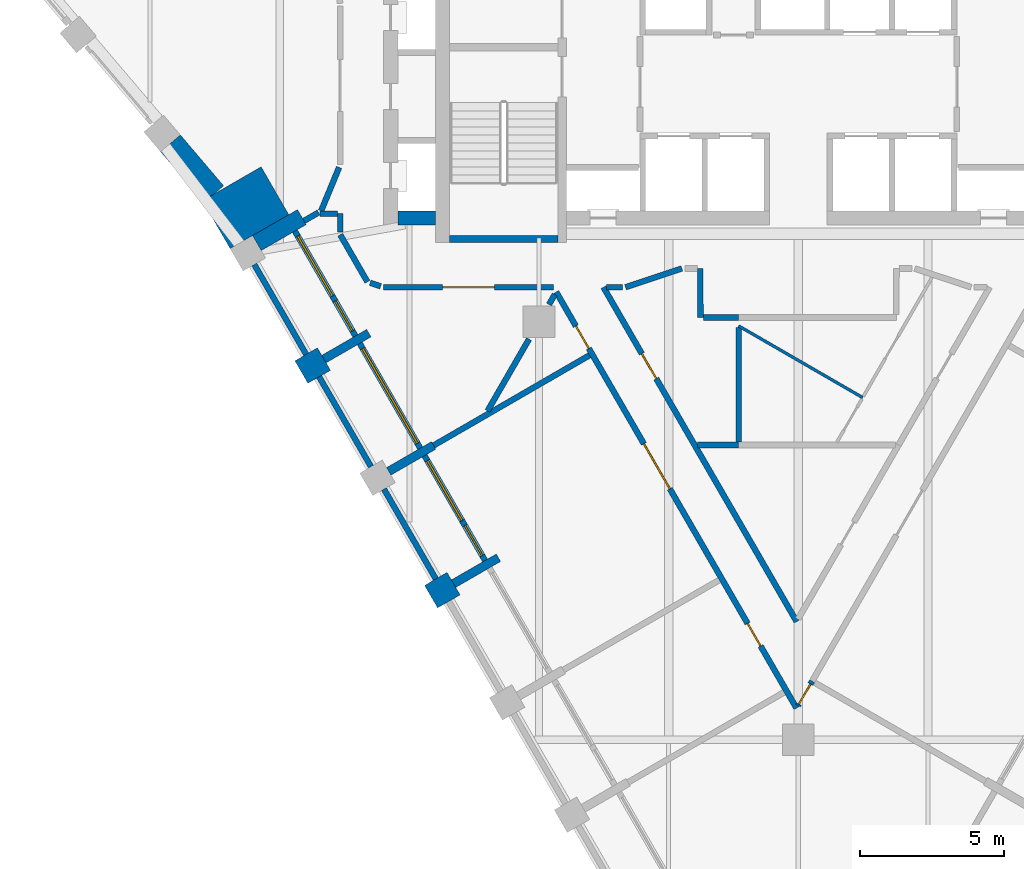
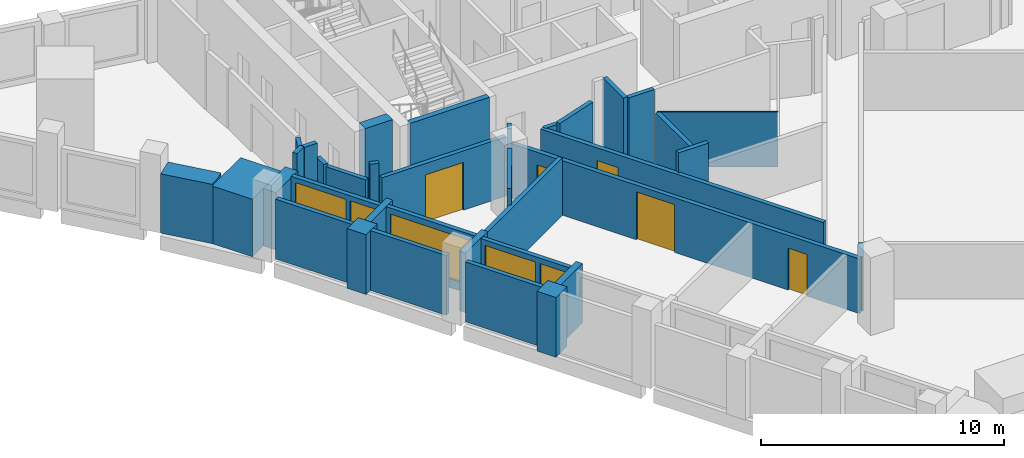
# One storey, part 3 of 9: 36 walls, 8 doors, 3 windows, 11 openings.
"""IFC4 building model written with IfcOpenShell, lengths in metres."""

from ifc_helpers import new_model, si_unit, direction, frame, frame_2d, origin, place, context, subcontext, project, spatial, polyline, rectangle, outline, extrude, material, layer, layer_set, type_object, element, fill, save


model = new_model("IFC4")

# Units and contexts
model_context = context("Model", 3, precision=1e-05, world=origin(), true_north=direction((0.0, 1.0)))
body_context = subcontext(model_context, "Body", "Model", "MODEL_VIEW")
ifc_project = project(units=[si_unit("LENGTHUNIT", "METRE"), si_unit("AREAUNIT", "SQUARE_METRE"), si_unit("VOLUMEUNIT", "CUBIC_METRE"), si_unit("PLANEANGLEUNIT", "RADIAN"), si_unit("MASSUNIT", "GRAM", prefix="KILO")], contexts=[model_context])

# Site, building, storey
site_placement = place(None, origin())
site = spatial("IfcSite", under=ifc_project, at=site_placement, CompositionType="ELEMENT")
building_placement = place(site_placement, origin())
building = spatial("IfcBuilding", under=site, at=building_placement, Name="Calabash Gate Tower", CompositionType="ELEMENT")
storey_placement = place(building_placement, frame((0.0, 0.0, 235.39990234375)))
storey = spatial("IfcBuildingStorey", under=building, at=storey_placement, Name="L56", CompositionType="ELEMENT", Elevation=235.39990234375)

# Walls
ifc_material_1 = material(Name="Terracotta brick masonry, exposed face", Category="masonry")
ifc_layer_1 = layer(ifc_material_1, 2.35009765625)
ifc_layer_set_1 = layer_set([ifc_layer_1], Name="Brick corner mass wall 2350")
wall_type_1 = type_object("IfcWallType", Name="Brick corner mass wall 2350", PredefinedType="SOLIDWALL", material=ifc_layer_set_1)
wall_1_placement = place(storey_placement, origin())
element("IfcWall", 1, at=wall_1_placement, inside=storey, type_object=wall_type_1, Name="Brick corner pier S16 1", PredefinedType="SOLIDWALL", context=body_context, shape_type="SweptSolid", body=[
    extrude(outline(polyline([(-18.942138671875, 5.492431640625), (-17.6865234375, 6.21728515625), (-18.6455078125, 7.878173828125), (-20.6806640625, 6.703125), (-19.7216796875, 5.042236328125), (-19.721435546875, 5.042236328125), (-19.7216796875, 5.042724609375), (-18.9423828125, 5.49267578125), (-18.942138671875, 5.492431640625)])), origin(), (0.0, 0.0, 1.0), 2.88427734375),
])
ifc_material_2 = material(Name="Terracotta brick masonry, exposed face", Category="masonry")
ifc_layer_2 = layer(ifc_material_2, 0.89990234375)
ifc_layer_set_2 = layer_set([ifc_layer_2], Name="Brick end wall 900")
wall_type_2 = type_object("IfcWallType", Name="Brick end wall 900", PredefinedType="SOLIDWALL", material=ifc_layer_set_2)
wall_2_placement = place(storey_placement, frame((-16.632080078125, 0.5908203125, 0.0), z_axis=(0.0, 0.0, 1.0), x_axis=(-0.50001992892, 0.866013897511, 0.0)))
element("IfcWall", 2, at=wall_2_placement, inside=storey, type_object=wall_type_2, Name="Brick pier S16 SW0.1", PredefinedType="SOLIDWALL", context=body_context, shape_type="SweptSolid", body=[
    extrude(rectangle(XDim=0.89990234375, YDim=0.89990234375, at=frame_2d((0.449951171875, 0.0))), origin(), (0.0, 0.0, 1.0), 3.0),
])
wall_3_placement = place(storey_placement, frame((-12.58203125, -6.424072265625, 0.0), z_axis=(0.0, 0.0, 1.0), x_axis=(0.499902469156, -0.866081705922, 0.0)))
element("IfcWall", 3, at=wall_3_placement, inside=storey, type_object=wall_type_2, Name="Brick pier S16 SW0.3", PredefinedType="SOLIDWALL", context=body_context, shape_type="SweptSolid", body=[
    extrude(rectangle(XDim=0.900146484375, YDim=0.89990234375, at=frame_2d((0.4501953125, 0.0))), origin(), (0.0, 0.0, 1.0), 3.0),
])
wall_4_placement = place(storey_placement, origin())
element("IfcWall", 4, at=wall_4_placement, inside=storey, type_object=wall_type_2, Name="Brick end wall S16 3", PredefinedType="SOLIDWALL", context=body_context, shape_type="SweptSolid", body=[
    extrude(outline(polyline([(-19.947998046875, 7.2197265625), (-21.44921875, 8.985595703125), (-22.135009765625, 8.402587890625), (-20.66015625, 6.667724609375), (-20.6806640625, 6.703125), (-20.291015625, 6.92822265625), (-19.947998046875, 7.2197265625)])), origin(), (0.0, 0.0, 1.0), 2.9736328125),
])
ifc_material_3 = material(Name="Terracotta brick masonry, exposed face", Category="masonry")
ifc_layer_3 = layer(ifc_material_3, 0.300048828125)
ifc_layer_set_3 = layer_set([ifc_layer_3], Name="Brick loggia cheek wall 300")
wall_type_3 = type_object("IfcWallType", Name="Brick loggia cheek wall 300", PredefinedType="SOLIDWALL", material=ifc_layer_set_3)
wall_5_placement = place(storey_placement, frame((-18.7919921875, 5.232666015625, 0.0), z_axis=(0.0, 0.0, 1.0), x_axis=(0.866013897511, 0.50001992892, 0.0)))
element("IfcWall", 5, at=wall_5_placement, inside=storey, type_object=wall_type_3, Name="Loggia cheek S16 SW0.0", PredefinedType="SOLIDWALL", context=body_context, shape_type="SweptSolid", body=[
    extrude(rectangle(XDim=1.7998046875, YDim=0.60009765625, at=frame_2d((0.89990234375, 0.0))), origin(), (0.0, 0.0, 1.0), 2.88427734375),
])
for number, where, z_axis, x_axis, name in (
    (6, (-16.46728515625, 1.205322265625, 0.0), (0.0, 0.0, 1.0), (0.865989075817, 0.500062916607, 0.0), "Loggia cheek S16 SW0.1"),
    (7, (-14.21728515625, -2.691650390625, 0.0), (0.0, 0.0, 1.0), (0.866047807691, 0.499961193289, 0.0), "Loggia cheek S16 SW0.2"),
):
    element("IfcWall", number, at=place(storey_placement, frame(where, z_axis=z_axis, x_axis=x_axis)), inside=storey, type_object=wall_type_3, Name=name, PredefinedType="SOLIDWALL", context=body_context, shape_type="SweptSolid", body=[
        extrude(rectangle(XDim=1.800048828125, YDim=0.300048828125, at=frame_2d((0.89990234375, 0.0))), origin(), (0.0, 0.0, 1.0), 3.0),
    ])
wall_6_placement = place(storey_placement, frame((-11.96728515625, -6.5888671875, 0.0), z_axis=(0.0, 0.0, 1.0), x_axis=(0.865989075817, 0.500062916607, 0.0)))
element("IfcWall", 8, at=wall_6_placement, inside=storey, type_object=wall_type_3, Name="Loggia cheek S16 SW0.3", PredefinedType="SOLIDWALL", context=body_context, shape_type="SweptSolid", body=[
    extrude(rectangle(XDim=1.800048828125, YDim=0.300048828125, at=frame_2d((0.89990234375, 0.0))), origin(), (0.0, 0.0, 1.0), 2.9736328125),
])
ifc_material_4 = material(Name="Concrete C70/85", Category="concrete")
ifc_layer_4 = layer(ifc_material_4, 0.25)
ifc_layer_set_4 = layer_set([ifc_layer_4], Name="Core wall 250 Concrete C70/85")
wall_type_4 = type_object("IfcWallType", Name="Core wall 250 Concrete C70/85", PredefinedType="SHEAR", material=ifc_layer_set_4)
wall_7_placement = place(storey_placement, frame((-12.10009765625, 5.377685546875, 0.0), z_axis=(0.0, 0.0, 1.0), x_axis=(1.0, 0.0, 0.0)))
element("IfcWall", 9, at=wall_7_placement, inside=storey, type_object=wall_type_4, Name="Core wall Z4-SSW L56", PredefinedType="SHEAR", context=body_context, shape_type="SweptSolid", body=[
    extrude(rectangle(XDim=3.75, YDim=0.25, at=frame_2d((1.875, 0.0))), origin(), (0.0, 0.0, 1.0), 3.900146484375),
])
ifc_material_5 = material(Name="Concrete C70/85", Category="concrete")
ifc_layer_5 = layer(ifc_material_5, 0.5)
ifc_layer_set_5 = layer_set([ifc_layer_5], Name="Core wall 500 Concrete C70/85")
wall_type_5 = type_object("IfcWallType", Name="Core wall 500 Concrete C70/85", PredefinedType="SHEAR", material=ifc_layer_set_5)
wall_8_placement = place(storey_placement, frame((-12.60009765625, 6.1025390625, 0.0), z_axis=(0.0, 0.0, 1.0), x_axis=(-1.0, 0.0, 0.0)))
element("IfcWall", 10, at=wall_8_placement, inside=storey, type_object=wall_type_5, Name="Core wall Z4-SW L56", PredefinedType="SHEAR", context=body_context, shape_type="SweptSolid", body=[
    extrude(rectangle(XDim=1.2998046875, YDim=0.5, at=frame_2d((0.64990234375, 0.0))), origin(), (0.0, 0.0, 1.0), 3.900146484375),
])
ifc_material_6 = material(Name="Gypsum board on steel studs, mineral wool", Category="steel")
ifc_layer_6 = layer(ifc_material_6, 0.10009765625)
ifc_layer_set_6 = layer_set([ifc_layer_6], Name="Partition 100 gypsum board")
wall_type_6 = type_object("IfcWallType", Name="Partition 100 gypsum board", PredefinedType="PARTITIONING", material=ifc_layer_set_6)
wall_9_placement = place(storey_placement, frame((-2.072998046875, 2.357421875, 0.0), z_axis=(0.0, 0.0, 1.0), x_axis=(0.865852787501, -0.500298861059, 0.0)))
element("IfcWall", 11, at=wall_9_placement, inside=storey, type_object=wall_type_6, Name="Partition", PredefinedType="PARTITIONING", context=body_context, shape_type="SweptSolid", body=[
    extrude(rectangle(XDim=4.9736328125, YDim=0.10009765625, at=frame_2d((2.48681640625, 0.0))), origin(), (0.0, 0.0, 1.0), 2.74169921875),
])

# Wall, openings, doors
ifc_material_7 = material(Name="Gypsum board on steel studs, mineral wool", Category="steel")
ifc_layer_7 = layer(ifc_material_7, 0.199951171875)
ifc_layer_set_7 = layer_set([ifc_layer_7], Name="Partition 200 gypsum board EI 60")
wall_type_7 = type_object("IfcWallType", Name="Partition 200 gypsum board EI 60", PredefinedType="PARTITIONING", material=ifc_layer_set_7)
wall_10_placement = place(storey_placement, frame((-8.403076171875, 3.533935546875, 0.0), z_axis=(0.0, 0.0, 1.0), x_axis=(0.499994899308, -0.86602834865, 0.0)))
wall_10 = element("IfcWall", 12, at=wall_10_placement, inside=storey, type_object=wall_type_7, Name="Partition", PredefinedType="PARTITIONING", context=body_context, shape_type="SweptSolid", body=[
    extrude(rectangle(XDim=16.677490234375, YDim=0.199951171875, at=frame_2d((8.3388671875, 0.0))), origin(), (0.0, 0.0, 1.0), 2.74169921875),
])
opening_1_placement = place(wall_10_placement, frame((6.08447265625, 0.0, 0.0)))
opening_1 = element("IfcOpeningElement", 13, at=opening_1_placement, cuts=wall_10, Name="Opening 55-57-001", PredefinedType="OPENING", context=body_context, shape_type="SweptSolid", body=[
    extrude(rectangle(XDim=1.800048828125, YDim=2.39990234375, at=frame_2d((0.89990234375, 1.199951171875))), frame((0.0, 0.10986328125, 0.0), z_axis=(0.0, -1.0, 0.0), x_axis=(1.0, 0.0, 0.0)), (0.0, 0.0, 1.0), 0.219970703125),
])
opening_2_placement = place(wall_10_placement, frame((13.28466796875, 0.0, 0.0)))
opening_2 = element("IfcOpeningElement", 14, at=opening_2_placement, cuts=wall_10, Name="Opening 55-57-002", PredefinedType="OPENING", context=body_context, shape_type="SweptSolid", body=[
    extrude(rectangle(XDim=0.89990234375, YDim=2.10009765625, at=frame_2d((0.449951171875, 1.050048828125))), frame((0.0, 0.10986328125, 0.0), z_axis=(0.0, -1.0, 0.0), x_axis=(1.0, 0.0, 0.0)), (0.0, 0.0, 1.0), 0.219970703125),
])
opening_3_placement = place(wall_10_placement, frame((1.364013671875, 0.0, 0.0)))
opening_3 = element("IfcOpeningElement", 15, at=opening_3_placement, cuts=wall_10, Name="Opening 55-57-007", PredefinedType="OPENING", context=body_context, shape_type="SweptSolid", body=[
    extrude(rectangle(XDim=0.89990234375, YDim=2.10009765625, at=frame_2d((0.449951171875, 1.050048828125))), frame((0.0, 0.10986328125, 0.0), z_axis=(0.0, -1.0, 0.0), x_axis=(1.0, 0.0, 0.0)), (0.0, 0.0, 1.0), 0.219970703125),
])
ifc_material_8 = material(Name="Painted timber door", Category="wood")
door_type_1 = type_object("IfcDoorType", Name="OD1 Office door 900x2100", OperationType="NOTDEFINED", PredefinedType="DOOR", material=ifc_material_8)
door_1_placement = place(opening_2_placement, origin())
door_1 = element("IfcDoor", 16, at=door_1_placement, inside=storey, type_object=door_type_1, Name="Office door", OperationType="SINGLE_SWING_LEFT", OverallHeight=2.10009765625, OverallWidth=0.89990234375, PredefinedType="DOOR", context=body_context, shape_type="SweptSolid", body=[
    extrude(rectangle(XDim=0.89990234375, YDim=2.10009765625, at=frame_2d((0.449951171875, 1.050048828125))), frame((0.0, 0.02490234375, 0.0), z_axis=(0.0, -1.0, 0.0), x_axis=(1.0, 0.0, 0.0)), (0.0, 0.0, 1.0), 0.050048828125),
])
fill(opening_2, door_1)
ifc_material_9 = material(Name="Steel fire door set with fire-resisting glazing", Category="steel")
door_type_2 = type_object("IfcDoorType", Name="SD1 Service room door 900x2100", OperationType="NOTDEFINED", PredefinedType="DOOR", material=ifc_material_9)
door_2_placement = place(opening_3_placement, origin())
door_2 = element("IfcDoor", 17, at=door_2_placement, inside=storey, type_object=door_type_2, Name="Service room door", OperationType="SINGLE_SWING_RIGHT", OverallHeight=2.10009765625, OverallWidth=0.89990234375, PredefinedType="DOOR", context=body_context, shape_type="SweptSolid", body=[
    extrude(rectangle(XDim=0.89990234375, YDim=2.10009765625, at=frame_2d((0.449951171875, 1.050048828125))), frame((0.0, 0.02490234375, 0.0), z_axis=(0.0, -1.0, 0.0), x_axis=(1.0, 0.0, 0.0)), (0.0, 0.0, 1.0), 0.050048828125),
])
fill(opening_3, door_2)
ifc_material_10 = material(Name="Steel fire door set with fire-resisting glazing", Category="steel")
door_type_3 = type_object("IfcDoorType", Name="TD1 Tenancy entrance double door 1800x2400", OperationType="NOTDEFINED", PredefinedType="DOOR", material=ifc_material_10)
door_3_placement = place(opening_1_placement, origin())
door_3 = element("IfcDoor", 18, at=door_3_placement, inside=storey, type_object=door_type_3, Name="Tenancy entrance double door", OperationType="DOUBLE_DOOR_SINGLE_SWING", OverallHeight=2.39990234375, OverallWidth=1.800048828125, PredefinedType="DOOR", context=body_context, shape_type="SweptSolid", body=[
    extrude(rectangle(XDim=1.800048828125, YDim=2.39990234375, at=frame_2d((0.89990234375, 1.199951171875))), frame((0.0, 0.02490234375, 0.0), z_axis=(0.0, -1.0, 0.0), x_axis=(1.0, 0.0, 0.0)), (0.0, 0.0, 1.0), 0.050048828125),
])
fill(opening_1, door_3)

# Wall, opening, door
wall_11_placement = place(storey_placement, frame((-0.01220703125, -10.821533203125, 0.0), z_axis=(0.0, 0.0, 1.0), x_axis=(0.501271486133, 0.865290065348, 0.0)))
wall_11 = element("IfcWall", 19, at=wall_11_placement, inside=storey, type_object=wall_type_7, Name="Partition", PredefinedType="PARTITIONING", context=body_context, shape_type="SweptSolid", body=[
    extrude(rectangle(XDim=0.98193359375, YDim=0.199951171875, at=frame_2d((0.490966796875, 0.0))), origin(), (0.0, 0.0, 1.0), 2.74169921875),
])
opening_4_placement = place(wall_11_placement, frame((0.06201171875, 0.0, 0.0)))
opening_4 = element("IfcOpeningElement", 20, at=opening_4_placement, cuts=wall_11, Name="Opening 55-57-011", PredefinedType="OPENING", context=body_context, shape_type="SweptSolid", body=[
    extrude(rectangle(XDim=0.800048828125, YDim=2.10009765625, at=frame_2d((0.39990234375, 1.050048828125))), frame((0.0, 0.10986328125, 0.0), z_axis=(0.0, -1.0, 0.0), x_axis=(1.0, 0.0, 0.0)), (0.0, 0.0, 1.0), 0.219970703125),
])
ifc_material_11 = material(Name="Steel fire door set with fire-resisting glazing", Category="steel")
door_type_4 = type_object("IfcDoorType", Name="SD2 Riser access door 800x2100", OperationType="NOTDEFINED", PredefinedType="DOOR", material=ifc_material_11)
door_4_placement = place(opening_4_placement, origin())
door_4 = element("IfcDoor", 21, at=door_4_placement, inside=storey, type_object=door_type_4, Name="Riser access door", OperationType="SINGLE_SWING_RIGHT", OverallHeight=2.10009765625, OverallWidth=0.800048828125, PredefinedType="DOOR", context=body_context, shape_type="SweptSolid", body=[
    extrude(rectangle(XDim=0.800048828125, YDim=2.10009765625, at=frame_2d((0.39990234375, 1.050048828125))), frame((0.0, 0.02490234375, 0.0), z_axis=(0.0, -1.0, 0.0), x_axis=(1.0, 0.0, 0.0)), (0.0, 0.0, 1.0), 0.050048828125),
])
fill(opening_4, door_4)

# Walls
wall_12_placement = place(storey_placement, frame((-12.65869140625, -1.791259765625, 0.0), z_axis=(0.0, 0.0, 1.0), x_axis=(0.865661558062, 0.500629670408, 0.0)))
element("IfcWall", 22, at=wall_12_placement, inside=storey, type_object=wall_type_7, Name="Partition", PredefinedType="PARTITIONING", context=body_context, shape_type="SweptSolid", body=[
    extrude(rectangle(XDim=6.24951171875, YDim=0.199951171875, at=frame_2d((3.124755859375, 0.0))), origin(), (0.0, 0.0, 1.0), 2.88427734375),
])
wall_13_placement = place(storey_placement, frame((-3.49853515625, -1.779541015625, 0.0), z_axis=(0.0, 0.0, 1.0), x_axis=(0.999999471866, 0.001027748686, 0.0)))
element("IfcWall", 23, at=wall_13_placement, inside=storey, type_object=wall_type_7, Name="Partition", PredefinedType="PARTITIONING", context=body_context, shape_type="SweptSolid", body=[
    extrude(rectangle(XDim=1.42529296875, YDim=0.199951171875, at=frame_2d((0.712646484375, 0.0))), origin(), (0.0, 0.0, 1.0), 3.72998046875),
])
wall_14_placement = place(storey_placement, frame((-10.787353515625, -0.593505859375, 0.0), z_axis=(0.0, 0.0, 1.0), x_axis=(0.500287485194, 0.865859360496, 0.0)))
element("IfcWall", 24, at=wall_14_placement, inside=storey, type_object=wall_type_7, Name="Partition", PredefinedType="PARTITIONING", context=body_context, shape_type="SweptSolid", body=[
    extrude(rectangle(XDim=2.879638671875, YDim=0.199951171875, at=frame_2d((1.43994140625, 0.0))), origin(), (0.0, 0.0, 1.0), 3.72998046875),
])
wall_15_placement = place(storey_placement, frame((-2.0712890625, -1.676025390625, 0.0), z_axis=(0.0, 0.0, 1.0), x_axis=(0.0, 1.0, 0.0)))
element("IfcWall", 25, at=wall_15_placement, inside=storey, type_object=wall_type_7, Name="Partition", PredefinedType="PARTITIONING", context=body_context, shape_type="SweptSolid", body=[
    extrude(rectangle(XDim=3.974609375, YDim=0.199951171875, at=frame_2d((1.9873046875, 0.0))), origin(), (0.0, 0.0, 1.0), 2.74169921875),
])
wall_16_placement = place(storey_placement, frame((-3.402099609375, 4.3505859375, 0.0), z_axis=(0.0, 0.0, 1.0), x_axis=(0.001150085496, -0.999999338651, 0.0)))
element("IfcWall", 26, at=wall_16_placement, inside=storey, type_object=wall_type_7, Name="Partition", PredefinedType="PARTITIONING", context=body_context, shape_type="SweptSolid", body=[
    extrude(rectangle(XDim=1.6982421875, YDim=0.199951171875, at=frame_2d((0.84912109375, 0.0))), origin(), (0.0, 0.0, 1.0), 3.72998046875),
])
wall_17_placement = place(storey_placement, frame((-3.30029296875, 2.65234375, 0.0), z_axis=(0.0, 0.0, 1.0), x_axis=(0.999999030114, -0.001392756309, 0.0)))
element("IfcWall", 27, at=wall_17_placement, inside=storey, type_object=wall_type_7, Name="Partition", PredefinedType="PARTITIONING", context=body_context, shape_type="SweptSolid", body=[
    extrude(rectangle(XDim=1.22705078125, YDim=0.199951171875, at=frame_2d((0.613525390625, 0.0))), origin(), (0.0, 0.0, 1.0), 3.72998046875),
])
wall_18_placement = place(storey_placement, frame((-8.65380859375, 3.10009765625, 0.0), z_axis=(0.0, 0.0, 1.0), x_axis=(0.497766425922, 0.86731112366, 0.0)))
element("IfcWall", 28, at=wall_18_placement, inside=storey, type_object=wall_type_7, Name="Partition", PredefinedType="PARTITIONING", context=body_context, shape_type="SweptSolid", body=[
    extrude(rectangle(XDim=0.403564453125, YDim=0.199951171875, at=frame_2d((0.20166015625, 0.0))), origin(), (0.0, 0.0, 1.0), 3.72998046875),
])

# Wall, opening, door
wall_19_placement = place(storey_placement, frame((-14.400146484375, 3.699462890625, 0.0), z_axis=(0.0, 0.0, 1.0), x_axis=(1.0, 0.0, 0.0)))
wall_19 = element("IfcWall", 29, at=wall_19_placement, inside=storey, type_object=wall_type_7, Name="Partition", PredefinedType="PARTITIONING", context=body_context, shape_type="SweptSolid", body=[
    extrude(rectangle(XDim=5.903076171875, YDim=0.199951171875, at=frame_2d((2.95166015625, 0.0))), origin(), (0.0, 0.0, 1.0), 2.9736328125),
])
opening_5_placement = place(wall_19_placement, frame((2.0517578125, 0.0, 0.0)))
opening_5 = element("IfcOpeningElement", 30, at=opening_5_placement, cuts=wall_19, Name="Opening 55-57-008", PredefinedType="OPENING", context=body_context, shape_type="SweptSolid", body=[
    extrude(rectangle(XDim=1.800048828125, YDim=2.39990234375, at=frame_2d((0.89990234375, 1.199951171875))), frame((0.0, 0.10986328125, 0.0), z_axis=(0.0, -1.0, 0.0), x_axis=(1.0, 0.0, 0.0)), (0.0, 0.0, 1.0), 0.219970703125),
])
ifc_material_12 = material(Name="Steel fire door set with fire-resisting glazing", Category="steel")
door_type_5 = type_object("IfcDoorType", Name="OD5 Open office double door 1800x2400", OperationType="NOTDEFINED", PredefinedType="DOOR", material=ifc_material_12)
door_5_placement = place(opening_5_placement, origin())
door_5 = element("IfcDoor", 31, at=door_5_placement, inside=storey, type_object=door_type_5, Name="Open office double door", OperationType="DOUBLE_DOOR_SINGLE_SWING", OverallHeight=2.39990234375, OverallWidth=1.800048828125, PredefinedType="DOOR", context=body_context, shape_type="SweptSolid", body=[
    extrude(rectangle(XDim=1.800048828125, YDim=2.39990234375, at=frame_2d((0.89990234375, 1.199951171875))), frame((0.0, 0.02490234375, 0.0), z_axis=(0.0, -1.0, 0.0), x_axis=(1.0, 0.0, 0.0)), (0.0, 0.0, 1.0), 0.050048828125),
])
fill(opening_5, door_5)

wall_20_placement = place(storey_placement, frame((-6.764404296875, 3.69970703125, 0.0), z_axis=(0.0, 0.0, 1.0), x_axis=(0.500260603275, -0.865874892124, 0.0)))
wall_20 = element("IfcWall", 32, at=wall_20_placement, inside=storey, type_object=wall_type_7, Name="Partition", PredefinedType="PARTITIONING", context=body_context, shape_type="SweptSolid", body=[
    extrude(rectangle(XDim=13.403076171875, YDim=0.199951171875, at=frame_2d((6.70166015625, 0.0))), origin(), (0.0, 0.0, 1.0), 2.74169921875),
])
opening_6_placement = place(wall_20_placement, frame((2.66259765625, 0.0, 0.0)))
opening_6 = element("IfcOpeningElement", 33, at=opening_6_placement, cuts=wall_20, Name="Opening 55-57-004", PredefinedType="OPENING", context=body_context, shape_type="SweptSolid", body=[
    extrude(rectangle(XDim=1.0, YDim=2.10009765625, at=frame_2d((0.5, 1.050048828125))), frame((0.0, 0.10986328125, 0.0), z_axis=(0.0, -1.0, 0.0), x_axis=(1.0, 0.0, 0.0)), (0.0, 0.0, 1.0), 0.219970703125),
])
ifc_material_13 = material(Name="Steel fire door set with fire-resisting glazing", Category="steel")
door_type_6 = type_object("IfcDoorType", Name="VD1 Vault door 1000x2100", OperationType="NOTDEFINED", PredefinedType="DOOR", material=ifc_material_13)
door_6_placement = place(opening_6_placement, origin())
door_6 = element("IfcDoor", 34, at=door_6_placement, inside=storey, type_object=door_type_6, Name="Vault door", OperationType="SINGLE_SWING_LEFT", OverallHeight=2.10009765625, OverallWidth=1.0, PredefinedType="DOOR", context=body_context, shape_type="SweptSolid", body=[
    extrude(rectangle(XDim=1.0, YDim=2.10009765625, at=frame_2d((0.5, 1.050048828125))), frame((0.0, 0.02490234375, 0.0), z_axis=(0.0, -1.0, 0.0), x_axis=(1.0, 0.0, 0.0)), (0.0, 0.0, 1.0), 0.050048828125),
])
fill(opening_6, door_6)

# Walls
wall_21_placement = place(storey_placement, frame((-6.664306640625, 3.69970703125, 0.0), z_axis=(0.0, 0.0, 1.0), x_axis=(1.0, 0.0, 0.0)))
element("IfcWall", 35, at=wall_21_placement, inside=storey, type_object=wall_type_7, Name="Partition", PredefinedType="PARTITIONING", context=body_context, shape_type="SweptSolid", body=[
    extrude(rectangle(XDim=0.564208984375, YDim=0.199951171875, at=frame_2d((0.2822265625, 0.0))), origin(), (0.0, 0.0, 1.0), 2.74169921875),
])
wall_22_placement = place(storey_placement, frame((-14.85986328125, 3.852783203125, 0.0), z_axis=(0.0, 0.0, 1.0), x_axis=(0.948683298051, -0.316227766017, 0.0)))
element("IfcWall", 36, at=wall_22_placement, inside=storey, type_object=wall_type_7, Name="Partition", PredefinedType="PARTITIONING", context=body_context, shape_type="SweptSolid", body=[
    extrude(rectangle(XDim=0.384521484375, YDim=0.199951171875, at=frame_2d((0.1923828125, 0.0))), origin(), (0.0, 0.0, 1.0), 3.72998046875),
])
wall_23_placement = place(storey_placement, frame((-15.900390625, 5.522705078125, 0.0), z_axis=(0.0, 0.0, 1.0), x_axis=(0.499998034377, -0.866026538634, 0.0)))
element("IfcWall", 37, at=wall_23_placement, inside=storey, type_object=wall_type_7, Name="Partition", PredefinedType="PARTITIONING", context=body_context, shape_type="SweptSolid", body=[
    extrude(rectangle(XDim=1.8916015625, YDim=0.199951171875, at=frame_2d((0.94580078125, 0.0))), origin(), (0.0, 0.0, 1.0), 2.9501953125),
])
wall_24_placement = place(storey_placement, frame((-6.0, 3.69970703125, 0.0), z_axis=(0.0, 0.0, 1.0), x_axis=(0.948683298051, 0.316227766017, 0.0)))
element("IfcWall", 38, at=wall_24_placement, inside=storey, type_object=wall_type_7, Name="Partition", PredefinedType="PARTITIONING", context=body_context, shape_type="SweptSolid", body=[
    extrude(rectangle(XDim=2.063720703125, YDim=0.199951171875, at=frame_2d((1.03173828125, 0.0))), origin(), (0.0, 0.0, 1.0), 2.74169921875),
])
wall_25_placement = place(storey_placement, frame((-15.900390625, 6.252197265625, 0.0), z_axis=(0.0, 0.0, 1.0), x_axis=(0.0, -1.0, 0.0)))
element("IfcWall", 39, at=wall_25_placement, inside=storey, type_object=wall_type_7, Name="Partition", PredefinedType="PARTITIONING", context=body_context, shape_type="SweptSolid", body=[
    extrude(rectangle(XDim=0.62939453125, YDim=0.199951171875, at=frame_2d((0.314697265625, 0.0))), origin(), (0.0, 0.0, 1.0), 2.9736328125),
])
wall_26_placement = place(storey_placement, frame((-16.6005859375, 6.252685546875, 0.0), z_axis=(0.0, 0.0, 1.0), x_axis=(0.999999668971, -0.000813669381, 0.0)))
element("IfcWall", 40, at=wall_26_placement, inside=storey, type_object=wall_type_7, Name="Partition", PredefinedType="PARTITIONING", context=body_context, shape_type="SweptSolid", body=[
    extrude(rectangle(XDim=0.60009765625, YDim=0.199951171875, at=frame_2d((0.300048828125, 0.0))), origin(), (0.0, 0.0, 1.0), 3.72998046875),
])
wall_27_placement = place(storey_placement, frame((-17.158203125, 6.00244140625, 0.0), z_axis=(0.0, 0.0, 1.0), x_axis=(0.867396234464, 0.497618098985, 0.0)))
element("IfcWall", 41, at=wall_27_placement, inside=storey, type_object=wall_type_7, Name="Partition", PredefinedType="PARTITIONING", context=body_context, shape_type="SweptSolid", body=[
    extrude(rectangle(XDim=0.586181640625, YDim=0.199951171875, at=frame_2d((0.29296875, 0.0))), origin(), (0.0, 0.0, 1.0), 3.72998046875),
])
wall_28_placement = place(storey_placement, frame((-16.563720703125, 6.345947265625, 0.0), z_axis=(0.0, 0.0, 1.0), x_axis=(0.381544254575, 0.924350572998, 0.0)))
element("IfcWall", 42, at=wall_28_placement, inside=storey, type_object=wall_type_7, Name="Partition", PredefinedType="PARTITIONING", context=body_context, shape_type="SweptSolid", body=[
    extrude(rectangle(XDim=1.63818359375, YDim=0.199951171875, at=frame_2d((0.819091796875, 0.0))), origin(), (0.0, 0.0, 1.0), 2.9736328125),
])
ifc_material_14 = material(Name="Terracotta brick masonry, perforated", Category="masonry")
ifc_layer_8 = layer(ifc_material_14, 0.199951171875)
ifc_layer_set_8 = layer_set([ifc_layer_8], Name="Terracotta jaali screen B")
wall_type_8 = type_object("IfcWallType", Name="Terracotta jaali screen B", PredefinedType="SOLIDWALL", material=ifc_layer_set_8)
for number, where, z_axis, x_axis, name in (
    (43, (-18.882080078125, 4.48779296875, 0.0), (0.0, 0.0, 1.0), (0.500012057535, -0.866018442252, 0.0), "SCREEN B S16 SW0.1"),
    (44, (-16.632080078125, 0.5908203125, 0.0), (0.0, 0.0, 1.0), (0.500012057535, -0.866018442252, 0.0), "SCREEN B S16 SW0.2"),
    (45, (-14.382080078125, -3.306396484375, 0.0), (0.0, 0.0, 1.0), (0.500012057535, -0.866018442252, 0.0), "SCREEN B S16 SW0.3"),
):
    element("IfcWall", number, at=place(storey_placement, frame(where, z_axis=z_axis, x_axis=x_axis)), inside=storey, type_object=wall_type_8, Name=name, PredefinedType="SOLIDWALL", context=body_context, shape_type="SweptSolid", body=[
        extrude(rectangle(XDim=3.60009765625, YDim=0.199951171875, at=frame_2d((1.800048828125, 0.0))), origin(), (0.0, 0.0, 1.0), 3.0),
    ])

# Wall, openings, door, window
ifc_material_15 = material(Name="Aluminium framed window wall with insulated spandrel", Category="aluminium")
ifc_layer_9 = layer(ifc_material_15, 0.199951171875)
ifc_layer_set_9 = layer_set([ifc_layer_9], Name="Window wall 200")
wall_type_9 = type_object("IfcWallType", Name="Window wall 200", PredefinedType="ELEMENTEDWALL", material=ifc_layer_set_9)
wall_29_placement = place(storey_placement, frame((-17.47314453125, 5.647705078125, 0.0), z_axis=(0.0, 0.0, 1.0), x_axis=(0.500002543286, -0.866023935413, 0.0)))
wall_29 = element("IfcWall", 46, at=wall_29_placement, inside=storey, type_object=wall_type_9, Name="Window wall S16 SW0.1", PredefinedType="ELEMENTEDWALL", context=body_context, shape_type="SweptSolid", body=[
    extrude(rectangle(XDim=4.2001953125, YDim=0.199951171875, at=frame_2d((2.10009765625, 0.0))), origin(), (0.0, 0.0, 1.0), 2.9501953125),
])
opening_7_placement = place(wall_29_placement, frame((0.199951171875, 0.0, 0.449951171875)))
opening_7 = element("IfcOpeningElement", 47, at=opening_7_placement, cuts=wall_29, Name="Opening OW1", PredefinedType="OPENING", context=body_context, shape_type="SweptSolid", body=[
    extrude(rectangle(XDim=2.39990234375, YDim=2.25, at=frame_2d((1.199951171875, 1.125))), frame((0.0, 0.10986328125, 0.0), z_axis=(0.0, -1.0, 0.0), x_axis=(1.0, 0.0, 0.0)), (0.0, 0.0, 1.0), 0.219970703125),
])
opening_8_placement = place(wall_29_placement, frame((2.800048828125, 0.0, 0.0)))
opening_8 = element("IfcOpeningElement", 48, at=opening_8_placement, cuts=wall_29, Name="Opening O8-026", PredefinedType="OPENING", context=body_context, shape_type="SweptSolid", body=[
    extrude(rectangle(XDim=1.199951171875, YDim=2.699951171875, at=frame_2d((0.60009765625, 1.35009765625))), frame((0.0, 0.10986328125, 0.0), z_axis=(0.0, -1.0, 0.0), x_axis=(1.0, 0.0, 0.0)), (0.0, 0.0, 1.0), 0.219970703125),
])
ifc_material_16 = material(Name="Anodised aluminium frame, bronze finish, impact-rated laminated clear glazing", Category="aluminium")
door_type_7 = type_object("IfcDoorType", Name="Loggia door DO1 1200x2700", OperationType="SLIDING_TO_LEFT", PredefinedType="DOOR", material=ifc_material_16)
door_7_placement = place(opening_8_placement, origin())
door_7 = element("IfcDoor", 49, at=door_7_placement, inside=storey, type_object=door_type_7, Name="Loggia door S16 SW0.1", OperationType="SINGLE_SWING_LEFT", OverallHeight=2.699951171875, OverallWidth=1.199951171875, PredefinedType="DOOR", context=body_context, shape_type="SweptSolid", body=[
    extrude(rectangle(XDim=1.199951171875, YDim=2.699951171875, at=frame_2d((0.60009765625, 1.35009765625))), frame((0.0, 0.02490234375, 0.0), z_axis=(0.0, -1.0, 0.0), x_axis=(1.0, 0.0, 0.0)), (0.0, 0.0, 1.0), 0.050048828125),
])
fill(opening_8, door_7)
ifc_material_17 = material(Name="Anodised aluminium frame, bronze finish, impact-rated laminated clear glazing", Category="aluminium")
window_type_1 = type_object("IfcWindowType", Name="Window OW1 2400x2250", PartitioningType="DOUBLE_PANEL_VERTICAL", PredefinedType="WINDOW", material=ifc_material_17)
window_1_placement = place(opening_7_placement, origin())
window_1 = element("IfcWindow", 50, at=window_1_placement, inside=storey, type_object=window_type_1, Name="Window OW1 S16 SW0.1", OverallHeight=2.25, OverallWidth=2.39990234375, PartitioningType="SINGLE_PANEL", PredefinedType="WINDOW", context=body_context, shape_type="SweptSolid", body=[
    extrude(rectangle(XDim=2.39990234375, YDim=2.25, at=frame_2d((1.199951171875, 1.125))), frame((0.0, 0.030029296875, 0.0), z_axis=(0.0, -1.0, 0.0), x_axis=(1.0, 0.0, 0.0)), (0.0, 0.0, 1.0), 0.06005859375),
])
fill(opening_7, window_1)

# Wall, opening, window
wall_30_placement = place(storey_placement, frame((-15.22314453125, 1.75048828125, 0.0), z_axis=(0.0, 0.0, 1.0), x_axis=(0.500027713859, -0.866009402589, 0.0)))
wall_30 = element("IfcWall", 51, at=wall_30_placement, inside=storey, type_object=wall_type_9, Name="Window wall S16 SW0.2", PredefinedType="ELEMENTEDWALL", context=body_context, shape_type="SweptSolid", body=[
    extrude(rectangle(XDim=4.199951171875, YDim=0.199951171875, at=frame_2d((2.10009765625, 0.0))), origin(), (0.0, 0.0, 1.0), 3.0),
])
opening_9_placement = place(wall_30_placement, frame((0.199951171875, 0.0, 0.449951171875)))
opening_9 = element("IfcOpeningElement", 52, at=opening_9_placement, cuts=wall_30, Name="Opening OW2", PredefinedType="OPENING", context=body_context, shape_type="SweptSolid", body=[
    extrude(rectangle(XDim=3.800048828125, YDim=2.25, at=frame_2d((1.89990234375, 1.125))), frame((0.0, 0.10986328125, 0.0), z_axis=(0.0, -1.0, 0.0), x_axis=(1.0, 0.0, 0.0)), (0.0, 0.0, 1.0), 0.219970703125),
])
ifc_material_18 = material(Name="Anodised aluminium frame, bronze finish, impact-rated laminated clear glazing", Category="aluminium")
window_type_2 = type_object("IfcWindowType", Name="Window OW2 3800x2250", PartitioningType="TRIPLE_PANEL_VERTICAL", PredefinedType="WINDOW", material=ifc_material_18)
window_2_placement = place(opening_9_placement, origin())
window_2 = element("IfcWindow", 53, at=window_2_placement, inside=storey, type_object=window_type_2, Name="Window OW2 S16 SW0.2", OverallHeight=2.25, OverallWidth=3.800048828125, PartitioningType="SINGLE_PANEL", PredefinedType="WINDOW", context=body_context, shape_type="SweptSolid", body=[
    extrude(rectangle(XDim=3.800048828125, YDim=2.25, at=frame_2d((1.89990234375, 1.125))), frame((0.0, 0.030029296875, 0.0), z_axis=(0.0, -1.0, 0.0), x_axis=(1.0, 0.0, 0.0)), (0.0, 0.0, 1.0), 0.06005859375),
])
fill(opening_9, window_2)

# Wall, openings, door, window
wall_31_placement = place(storey_placement, frame((-12.97314453125, -2.146484375, 0.0), z_axis=(0.0, 0.0, 1.0), x_axis=(0.500002543286, -0.866023935413, 0.0)))
wall_31 = element("IfcWall", 54, at=wall_31_placement, inside=storey, type_object=wall_type_9, Name="Window wall S16 SW0.3", PredefinedType="ELEMENTEDWALL", context=body_context, shape_type="SweptSolid", body=[
    extrude(rectangle(XDim=4.2001953125, YDim=0.199951171875, at=frame_2d((2.10009765625, 0.0))), origin(), (0.0, 0.0, 1.0), 2.9736328125),
])
opening_10_placement = place(wall_31_placement, frame((0.199951171875, 0.0, 0.449951171875)))
opening_10 = element("IfcOpeningElement", 55, at=opening_10_placement, cuts=wall_31, Name="Opening OW1", PredefinedType="OPENING", context=body_context, shape_type="SweptSolid", body=[
    extrude(rectangle(XDim=2.39990234375, YDim=2.25, at=frame_2d((1.199951171875, 1.125))), frame((0.0, 0.10986328125, 0.0), z_axis=(0.0, -1.0, 0.0), x_axis=(1.0, 0.0, 0.0)), (0.0, 0.0, 1.0), 0.219970703125),
])
opening_11_placement = place(wall_31_placement, frame((2.800048828125, 0.0, 0.0)))
opening_11 = element("IfcOpeningElement", 56, at=opening_11_placement, cuts=wall_31, Name="Opening O8-027", PredefinedType="OPENING", context=body_context, shape_type="SweptSolid", body=[
    extrude(rectangle(XDim=1.199951171875, YDim=2.699951171875, at=frame_2d((0.60009765625, 1.35009765625))), frame((0.0, 0.10986328125, 0.0), z_axis=(0.0, -1.0, 0.0), x_axis=(1.0, 0.0, 0.0)), (0.0, 0.0, 1.0), 0.219970703125),
])
door_8_placement = place(opening_11_placement, origin())
door_8 = element("IfcDoor", 57, at=door_8_placement, inside=storey, type_object=door_type_7, Name="Loggia door S16 SW0.3", OperationType="SINGLE_SWING_LEFT", OverallHeight=2.699951171875, OverallWidth=1.199951171875, PredefinedType="DOOR", context=body_context, shape_type="SweptSolid", body=[
    extrude(rectangle(XDim=1.199951171875, YDim=2.699951171875, at=frame_2d((0.60009765625, 1.35009765625))), frame((0.0, 0.02490234375, 0.0), z_axis=(0.0, -1.0, 0.0), x_axis=(1.0, 0.0, 0.0)), (0.0, 0.0, 1.0), 0.050048828125),
])
fill(opening_11, door_8)
window_3_placement = place(opening_10_placement, origin())
window_3 = element("IfcWindow", 58, at=window_3_placement, inside=storey, type_object=window_type_1, Name="Window OW1 S16 SW0.3", OverallHeight=2.25, OverallWidth=2.39990234375, PartitioningType="SINGLE_PANEL", PredefinedType="WINDOW", context=body_context, shape_type="SweptSolid", body=[
    extrude(rectangle(XDim=2.39990234375, YDim=2.25, at=frame_2d((1.199951171875, 1.125))), frame((0.0, 0.030029296875, 0.0), z_axis=(0.0, -1.0, 0.0), x_axis=(1.0, 0.0, 0.0)), (0.0, 0.0, 1.0), 0.06005859375),
])
fill(opening_10, window_3)

save(model, "model.ifc")
